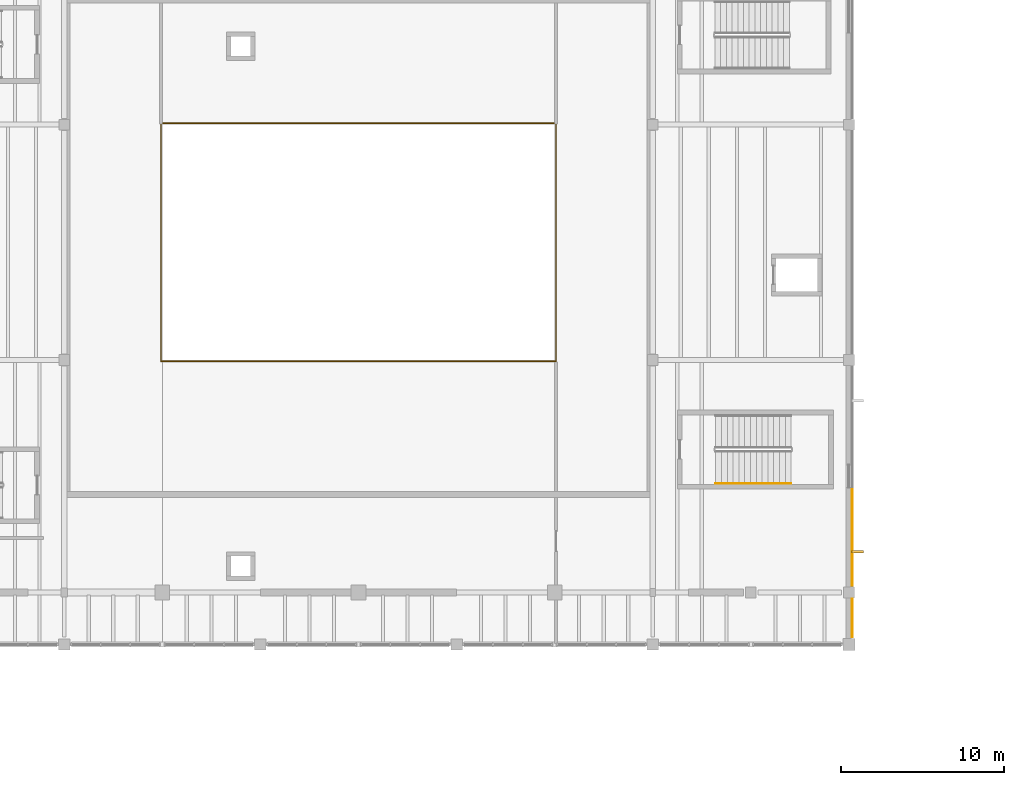
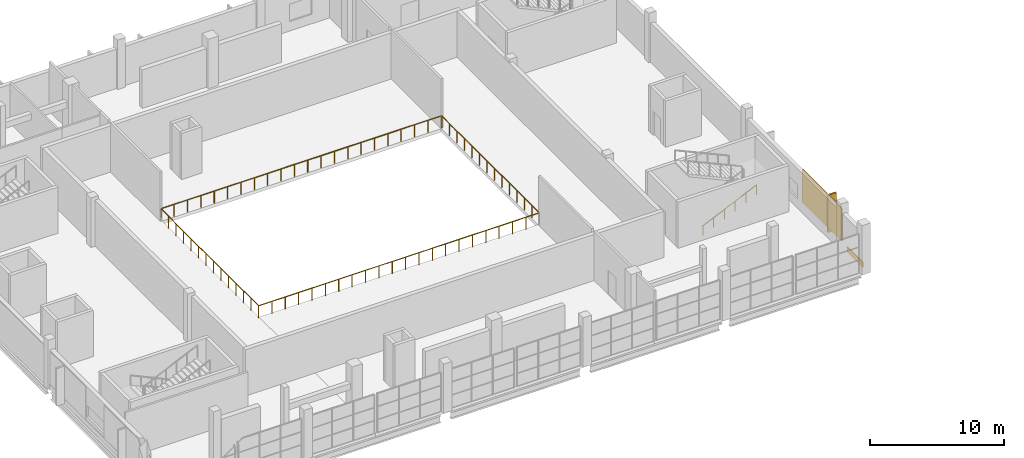
# One storey, part 56 of 63: 3 coverings, 3 railings, 1 shading device.
"""IFC4 building model written with IfcOpenShell, lengths in metres."""

from ifc_helpers import new_model, si_unit, direction, frame, origin, origin_2d, place, context, subcontext, project, spatial, rectangle, circle, extrude, material, layer, layer_set, type_object, element, save


model = new_model("IFC4")

# Units and contexts
model_context = context("Model", 3, precision=1e-05, world=origin(), true_north=direction((0.0, 1.0)))
body_context = subcontext(model_context, "Body", "Model", "MODEL_VIEW")
ifc_project = project(units=[si_unit("LENGTHUNIT", "METRE"), si_unit("AREAUNIT", "SQUARE_METRE"), si_unit("VOLUMEUNIT", "CUBIC_METRE"), si_unit("PLANEANGLEUNIT", "RADIAN"), si_unit("MASSUNIT", "GRAM", prefix="KILO")], contexts=[model_context])

# Site, building, storey
site_placement = place(None, origin())
site = spatial("IfcSite", under=ifc_project, at=site_placement, CompositionType="ELEMENT")
building_placement = place(site_placement, origin())
building = spatial("IfcBuilding", under=site, at=building_placement, Name="Kelmvaro Bay Concert Hall", CompositionType="ELEMENT")
storey_placement = place(building_placement, frame((0.0, 0.0, 13.800048828125)))
storey = spatial("IfcBuildingStorey", under=building, at=storey_placement, Name="L03", CompositionType="ELEMENT", Elevation=13.800048828125)

# Railings
ifc_material_1 = material(Name="Architectural Bronze and Laminated Glass", Category="glass")
railing_type_1 = type_object("IfcRailingType", Name="Auditorium Balcony Acoustic Brass Guard 1120", PredefinedType="BALUSTRADE", material=ifc_material_1)
railing_1_placement = place(storey_placement, frame((17.919921875, 82.719970703125, 0.0)))
element("IfcRailing", 1, at=railing_1_placement, inside=storey, type_object=railing_type_1, Name="L03 Balcony Guard 024", PredefinedType="BALUSTRADE", context=body_context, shape_type="SweptSolid", body=[
    extrude(circle(Radius=0.02392578125, at=origin_2d()), frame((0.0, 0.0, 1.09619140625), z_axis=(1.0, 0.0, 0.0), x_axis=(0.0, 1.0, 0.0)), (0.0, 0.0, 1.0), 24.16015625),
    extrude(circle(Radius=0.02392578125, at=origin_2d()), frame((24.16015625, 0.0, 1.09619140625), z_axis=(0.0, 1.0, 0.0), x_axis=(-1.0, 0.0, 0.0)), (0.0, 0.0, 1.0), 14.530029296875),
    extrude(circle(Radius=0.02099609375, at=origin_2d()), origin(), (0.0, 0.0, 1.0), 1.072021484375),
    extrude(circle(Radius=0.02099609375, at=origin_2d()), frame((1.150390625, 0.0, 0.0)), (0.0, 0.0, 1.0), 1.072021484375),
    extrude(circle(Radius=0.02099609375, at=origin_2d()), frame((2.301025390625, 0.0, 0.0)), (0.0, 0.0, 1.0), 1.072021484375),
    extrude(circle(Radius=0.02099609375, at=origin_2d()), frame((3.451416015625, 0.0, 0.0)), (0.0, 0.0, 1.0), 1.072021484375),
    extrude(circle(Radius=0.02099609375, at=origin_2d()), frame((4.60205078125, 0.0, 0.0)), (0.0, 0.0, 1.0), 1.072021484375),
    extrude(circle(Radius=0.02099609375, at=origin_2d()), frame((5.75244140625, 0.0, 0.0)), (0.0, 0.0, 1.0), 1.072021484375),
    extrude(circle(Radius=0.02099609375, at=origin_2d()), frame((6.90283203125, 0.0, 0.0)), (0.0, 0.0, 1.0), 1.072021484375),
    extrude(circle(Radius=0.02099609375, at=origin_2d()), frame((8.053466796875, 0.0, 0.0)), (0.0, 0.0, 1.0), 1.072021484375),
    extrude(circle(Radius=0.02099609375, at=origin_2d()), frame((9.203857421875, 0.0, 0.0)), (0.0, 0.0, 1.0), 1.072021484375),
    extrude(circle(Radius=0.02099609375, at=origin_2d()), frame((10.354248046875, 0.0, 0.0)), (0.0, 0.0, 1.0), 1.072021484375),
    extrude(circle(Radius=0.02099609375, at=origin_2d()), frame((11.5048828125, 0.0, 0.0)), (0.0, 0.0, 1.0), 1.072021484375),
    extrude(circle(Radius=0.02099609375, at=origin_2d()), frame((12.6552734375, 0.0, 0.0)), (0.0, 0.0, 1.0), 1.072021484375),
    extrude(circle(Radius=0.02099609375, at=origin_2d()), frame((13.805908203125, 0.0, 0.0)), (0.0, 0.0, 1.0), 1.072021484375),
    extrude(circle(Radius=0.02099609375, at=origin_2d()), frame((14.956298828125, 0.0, 0.0)), (0.0, 0.0, 1.0), 1.072021484375),
    extrude(circle(Radius=0.02099609375, at=origin_2d()), frame((16.106689453125, 0.0, 0.0)), (0.0, 0.0, 1.0), 1.072021484375),
    extrude(circle(Radius=0.02099609375, at=origin_2d()), frame((17.25732421875, 0.0, 0.0)), (0.0, 0.0, 1.0), 1.072021484375),
    extrude(circle(Radius=0.02099609375, at=origin_2d()), frame((18.40771484375, 0.0, 0.0)), (0.0, 0.0, 1.0), 1.072021484375),
    extrude(circle(Radius=0.02099609375, at=origin_2d()), frame((19.55810546875, 0.0, 0.0)), (0.0, 0.0, 1.0), 1.072021484375),
    extrude(circle(Radius=0.02099609375, at=origin_2d()), frame((20.708740234375, 0.0, 0.0)), (0.0, 0.0, 1.0), 1.072021484375),
    extrude(circle(Radius=0.02099609375, at=origin_2d()), frame((21.859130859375, 0.0, 0.0)), (0.0, 0.0, 1.0), 1.072021484375),
    extrude(circle(Radius=0.02099609375, at=origin_2d()), frame((23.009765625, 0.0, 0.0)), (0.0, 0.0, 1.0), 1.072021484375),
    extrude(circle(Radius=0.02099609375, at=origin_2d()), frame((24.16015625, 0.0, 0.0)), (0.0, 0.0, 1.0), 1.072021484375),
    extrude(circle(Radius=0.02099609375, at=origin_2d()), frame((24.16015625, 1.11767578125, 0.0)), (0.0, 0.0, 1.0), 1.072021484375),
    extrude(circle(Radius=0.02099609375, at=origin_2d()), frame((24.16015625, 2.2353515625, 0.0)), (0.0, 0.0, 1.0), 1.072021484375),
    extrude(circle(Radius=0.02099609375, at=origin_2d()), frame((24.16015625, 3.35302734375, 0.0)), (0.0, 0.0, 1.0), 1.072021484375),
    extrude(circle(Radius=0.02099609375, at=origin_2d()), frame((24.16015625, 4.470703125, 0.0)), (0.0, 0.0, 1.0), 1.072021484375),
    extrude(circle(Radius=0.02099609375, at=origin_2d()), frame((24.16015625, 5.58837890625, 0.0)), (0.0, 0.0, 1.0), 1.072021484375),
    extrude(circle(Radius=0.02099609375, at=origin_2d()), frame((24.16015625, 6.7060546875, 0.0)), (0.0, 0.0, 1.0), 1.072021484375),
    extrude(circle(Radius=0.02099609375, at=origin_2d()), frame((24.16015625, 7.823974609375, 0.0)), (0.0, 0.0, 1.0), 1.072021484375),
    extrude(circle(Radius=0.02099609375, at=origin_2d()), frame((24.16015625, 8.941650390625, 0.0)), (0.0, 0.0, 1.0), 1.072021484375),
    extrude(circle(Radius=0.02099609375, at=origin_2d()), frame((24.16015625, 10.059326171875, 0.0)), (0.0, 0.0, 1.0), 1.072021484375),
    extrude(circle(Radius=0.02099609375, at=origin_2d()), frame((24.16015625, 11.177001953125, 0.0)), (0.0, 0.0, 1.0), 1.072021484375),
    extrude(circle(Radius=0.02099609375, at=origin_2d()), frame((24.16015625, 12.294677734375, 0.0)), (0.0, 0.0, 1.0), 1.072021484375),
    extrude(circle(Radius=0.02099609375, at=origin_2d()), frame((24.16015625, 13.412353515625, 0.0)), (0.0, 0.0, 1.0), 1.072021484375),
    extrude(circle(Radius=0.02099609375, at=origin_2d()), frame((24.16015625, 14.530029296875, 0.0)), (0.0, 0.0, 1.0), 1.072021484375),
])
railing_2_placement = place(storey_placement, frame((42.050048828125, 97.280029296875, 0.0)))
element("IfcRailing", 2, at=railing_2_placement, inside=storey, type_object=railing_type_1, Name="L03 Balcony Guard 025", PredefinedType="BALUSTRADE", context=body_context, shape_type="SweptSolid", body=[
    extrude(circle(Radius=0.02392578125, at=origin_2d()), frame((0.0, 0.0, 1.09619140625), z_axis=(-1.0, 0.0, 0.0), x_axis=(0.0, -1.0, 0.0)), (0.0, 0.0, 1.0), 24.130126953125),
    extrude(circle(Radius=0.02392578125, at=origin_2d()), frame((-24.130126953125, 0.0, 1.09619140625), z_axis=(0.0, -1.0, 0.0), x_axis=(1.0, 0.0, 0.0)), (0.0, 0.0, 1.0), 14.530029296875),
    extrude(circle(Radius=0.02099609375, at=origin_2d()), origin(), (0.0, 0.0, 1.0), 1.072021484375),
    extrude(circle(Radius=0.02099609375, at=origin_2d()), frame((-1.149169921875, 0.0, 0.0)), (0.0, 0.0, 1.0), 1.072021484375),
    extrude(circle(Radius=0.02099609375, at=origin_2d()), frame((-2.298095703125, 0.0, 0.0)), (0.0, 0.0, 1.0), 1.072021484375),
    extrude(circle(Radius=0.02099609375, at=origin_2d()), frame((-3.447265625, 0.0, 0.0)), (0.0, 0.0, 1.0), 1.072021484375),
    extrude(circle(Radius=0.02099609375, at=origin_2d()), frame((-4.59619140625, 0.0, 0.0)), (0.0, 0.0, 1.0), 1.072021484375),
    extrude(circle(Radius=0.02099609375, at=origin_2d()), frame((-5.745361328125, 0.0, 0.0)), (0.0, 0.0, 1.0), 1.072021484375),
    extrude(circle(Radius=0.02099609375, at=origin_2d()), frame((-6.894287109375, 0.0, 0.0)), (0.0, 0.0, 1.0), 1.072021484375),
    extrude(circle(Radius=0.02099609375, at=origin_2d()), frame((-8.04345703125, 0.0, 0.0)), (0.0, 0.0, 1.0), 1.072021484375),
    extrude(circle(Radius=0.02099609375, at=origin_2d()), frame((-9.1923828125, 0.0, 0.0)), (0.0, 0.0, 1.0), 1.072021484375),
    extrude(circle(Radius=0.02099609375, at=origin_2d()), frame((-10.341552734375, 0.0, 0.0)), (0.0, 0.0, 1.0), 1.072021484375),
    extrude(circle(Radius=0.02099609375, at=origin_2d()), frame((-11.490478515625, 0.0, 0.0)), (0.0, 0.0, 1.0), 1.072021484375),
    extrude(circle(Radius=0.02099609375, at=origin_2d()), frame((-12.6396484375, 0.0, 0.0)), (0.0, 0.0, 1.0), 1.072021484375),
    extrude(circle(Radius=0.02099609375, at=origin_2d()), frame((-13.78857421875, 0.0, 0.0)), (0.0, 0.0, 1.0), 1.072021484375),
    extrude(circle(Radius=0.02099609375, at=origin_2d()), frame((-14.937744140625, 0.0, 0.0)), (0.0, 0.0, 1.0), 1.072021484375),
    extrude(circle(Radius=0.02099609375, at=origin_2d()), frame((-16.086669921875, 0.0, 0.0)), (0.0, 0.0, 1.0), 1.072021484375),
    extrude(circle(Radius=0.02099609375, at=origin_2d()), frame((-17.23583984375, 0.0, 0.0)), (0.0, 0.0, 1.0), 1.072021484375),
    extrude(circle(Radius=0.02099609375, at=origin_2d()), frame((-18.384765625, 0.0, 0.0)), (0.0, 0.0, 1.0), 1.072021484375),
    extrude(circle(Radius=0.02099609375, at=origin_2d()), frame((-19.533935546875, 0.0, 0.0)), (0.0, 0.0, 1.0), 1.072021484375),
    extrude(circle(Radius=0.02099609375, at=origin_2d()), frame((-20.682861328125, 0.0, 0.0)), (0.0, 0.0, 1.0), 1.072021484375),
    extrude(circle(Radius=0.02099609375, at=origin_2d()), frame((-21.83203125, 0.0, 0.0)), (0.0, 0.0, 1.0), 1.072021484375),
    extrude(circle(Radius=0.02099609375, at=origin_2d()), frame((-22.98095703125, 0.0, 0.0)), (0.0, 0.0, 1.0), 1.072021484375),
    extrude(circle(Radius=0.02099609375, at=origin_2d()), frame((-24.130126953125, 0.0, 0.0)), (0.0, 0.0, 1.0), 1.072021484375),
    extrude(circle(Radius=0.02099609375, at=origin_2d()), frame((-24.130126953125, -1.11767578125, 0.0)), (0.0, 0.0, 1.0), 1.072021484375),
    extrude(circle(Radius=0.02099609375, at=origin_2d()), frame((-24.130126953125, -2.2353515625, 0.0)), (0.0, 0.0, 1.0), 1.072021484375),
    extrude(circle(Radius=0.02099609375, at=origin_2d()), frame((-24.130126953125, -3.35302734375, 0.0)), (0.0, 0.0, 1.0), 1.072021484375),
    extrude(circle(Radius=0.02099609375, at=origin_2d()), frame((-24.130126953125, -4.470703125, 0.0)), (0.0, 0.0, 1.0), 1.072021484375),
    extrude(circle(Radius=0.02099609375, at=origin_2d()), frame((-24.130126953125, -5.58837890625, 0.0)), (0.0, 0.0, 1.0), 1.072021484375),
    extrude(circle(Radius=0.02099609375, at=origin_2d()), frame((-24.130126953125, -6.7060546875, 0.0)), (0.0, 0.0, 1.0), 1.072021484375),
    extrude(circle(Radius=0.02099609375, at=origin_2d()), frame((-24.130126953125, -7.823974609375, 0.0)), (0.0, 0.0, 1.0), 1.072021484375),
    extrude(circle(Radius=0.02099609375, at=origin_2d()), frame((-24.130126953125, -8.941650390625, 0.0)), (0.0, 0.0, 1.0), 1.072021484375),
    extrude(circle(Radius=0.02099609375, at=origin_2d()), frame((-24.130126953125, -10.059326171875, 0.0)), (0.0, 0.0, 1.0), 1.072021484375),
    extrude(circle(Radius=0.02099609375, at=origin_2d()), frame((-24.130126953125, -11.177001953125, 0.0)), (0.0, 0.0, 1.0), 1.072021484375),
    extrude(circle(Radius=0.02099609375, at=origin_2d()), frame((-24.130126953125, -12.294677734375, 0.0)), (0.0, 0.0, 1.0), 1.072021484375),
    extrude(circle(Radius=0.02099609375, at=origin_2d()), frame((-24.130126953125, -13.412353515625, 0.0)), (0.0, 0.0, 1.0), 1.072021484375),
    extrude(circle(Radius=0.02099609375, at=origin_2d()), frame((-24.130126953125, -14.530029296875, 0.0)), (0.0, 0.0, 1.0), 1.072021484375),
])

# Shading device
ifc_material_2 = material(Name="Anodised Extruded Aluminium 6063-T6", Category="aluminium")
ifc_layer_1 = layer(ifc_material_2, 3.39990234375)
ifc_layer_set_1 = layer_set([ifc_layer_1], Name="Anodised Extruded Aluminium 6063-T6")
shading_device_type = type_object("IfcShadingDeviceType", Name="Bauhaus Vertical Solar Brise-Soleil Fin 720x3400", PredefinedType="SHUTTER", material=ifc_layer_set_1)
shading_device_placement = place(storey_placement, frame((60.52587890625, 71.076171875, 0.06005859375), z_axis=(0.0, 0.0, 1.0), x_axis=(0.0, -1.0, 0.0)))
element("IfcShadingDevice", 3, at=shading_device_placement, inside=storey, type_object=shading_device_type, Name="L03 Solar Brise-Soleil Fin 037", PredefinedType="SHUTTER", context=body_context, shape_type="SweptSolid", body=[
    extrude(rectangle(XDim=0.159912109375, YDim=0.719970703125, at=origin_2d()), origin(), (0.0, 0.0, 1.0), 3.39990234375),
])

# Coverings
ifc_material_3 = material(Name="PVDF-Coated Architectural Aluminium", Category="aluminium")
ifc_layer_2 = layer(ifc_material_3, 0.0400390625)
ifc_layer_set_2 = layer_set([ifc_layer_2], Name="PVDF-Coated Architectural Aluminium")
covering_type_1 = type_object("IfcCoveringType", Name="De Stijl Enamelled Aluminium Fascia Panel 40", PredefinedType="CLADDING", material=ifc_layer_set_2)
covering_1_placement = place(storey_placement, frame((60.52587890625, 71.076171875, 0.06005859375), z_axis=(0.0, 0.0, 1.0), x_axis=(0.0, -1.0, 0.0)))
element("IfcCovering", 4, at=covering_1_placement, inside=storey, type_object=covering_type_1, Name="L03 Architectural Vertical Fin Cladding 0137", PredefinedType="CLADDING", context=body_context, shape_type="SweptSolid", body=[
    extrude(rectangle(XDim=0.139892578125, YDim=0.699951171875, at=origin_2d()), origin(), (0.0, 0.0, 1.0), 3.39990234375),
])
ifc_material_4 = material(Name="Honed Florida Limestone Travertine", Category="masonry")
ifc_layer_3 = layer(ifc_material_4, 0.054931640625)
ifc_layer_set_3 = layer_set([ifc_layer_3], Name="Honed Florida Limestone Travertine")
covering_type_2 = type_object("IfcCoveringType", Name="Honed Florida Travertine Rainscreen Cladding 55", PredefinedType="CLADDING", material=ifc_layer_set_3)
covering_2_placement = place(storey_placement, frame((60.195556640625, 71.9375, 0.52001953125), z_axis=(0.0, 0.0, 1.0), x_axis=(0.0, -1.0, 0.0)))
element("IfcCovering", 5, at=covering_2_placement, inside=storey, type_object=covering_type_2, Name="L03 Travertine Pier Panel 0139", PredefinedType="CLADDING", context=body_context, shape_type="SweptSolid", body=[
    extrude(rectangle(XDim=5.905029296875, YDim=0.054931640625, at=origin_2d()), origin(), (0.0, 0.0, 1.0), 2.989013671875),
])
covering_3_placement = place(storey_placement, frame((60.195556640625, 67.014892578125, 0.0400390625), z_axis=(0.0, 0.0, 1.0), x_axis=(0.0, -1.0, 0.0)))
element("IfcCovering", 6, at=covering_3_placement, inside=storey, type_object=covering_type_2, Name="L03 Travertine Sill Band 0140", PredefinedType="CLADDING", context=body_context, shape_type="SweptSolid", body=[
    extrude(rectangle(XDim=2.360107421875, YDim=0.054931640625, at=origin_2d()), origin(), (0.0, 0.0, 1.0), 0.4599609375),
])

# Railing
ifc_material_5 = material(Name="Brushed Stainless Steel 316", Category="steel")
railing_type_2 = type_object("IfcRailingType", Name="Stair Stainless Wall Handrail 900", PredefinedType="HANDRAIL", material=ifc_material_5)
railing_3_placement = place(storey_placement, frame((51.85009765625, 75.25, 0.16064453125)))
element("IfcRailing", 7, at=railing_3_placement, inside=storey, type_object=railing_type_2, Name="L03 ST-04 stair handrail 1", PredefinedType="HANDRAIL", context=body_context, shape_type="SweptSolid", body=[
    extrude(circle(Radius=0.02392578125, at=origin_2d()), frame((0.0, 0.0, 0.8759765625), z_axis=(0.910987662999, 0.0, 0.412433604187), x_axis=(0.0, 1.0, 0.0)), (0.0, 0.0, 1.0), 5.06591796875),
    extrude(circle(Radius=0.02099609375, at=origin_2d()), origin(), (0.0, 0.0, 1.0), 0.851806640625),
    extrude(circle(Radius=0.02099609375, at=origin_2d()), frame((0.923095703125, 0.0, 0.41796875)), (0.0, 0.0, 1.0), 0.851806640625),
    extrude(circle(Radius=0.02099609375, at=origin_2d()), frame((1.845947265625, 0.0, 0.835693359375)), (0.0, 0.0, 1.0), 0.851806640625),
    extrude(circle(Radius=0.02099609375, at=origin_2d()), frame((2.76904296875, 0.0, 1.253662109375)), (0.0, 0.0, 1.0), 0.851806640625),
    extrude(circle(Radius=0.02099609375, at=origin_2d()), frame((3.69189453125, 0.0, 1.67138671875)), (0.0, 0.0, 1.0), 0.851806640625),
    extrude(circle(Radius=0.02099609375, at=origin_2d()), frame((4.614990234375, 0.0, 2.08935546875)), (0.0, 0.0, 1.0), 0.851806640625),
])

save(model, "model.ifc")
